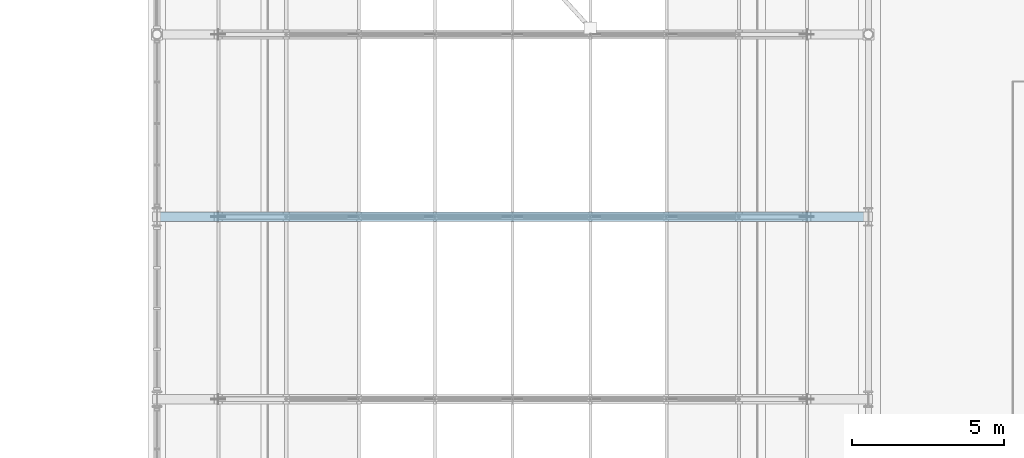
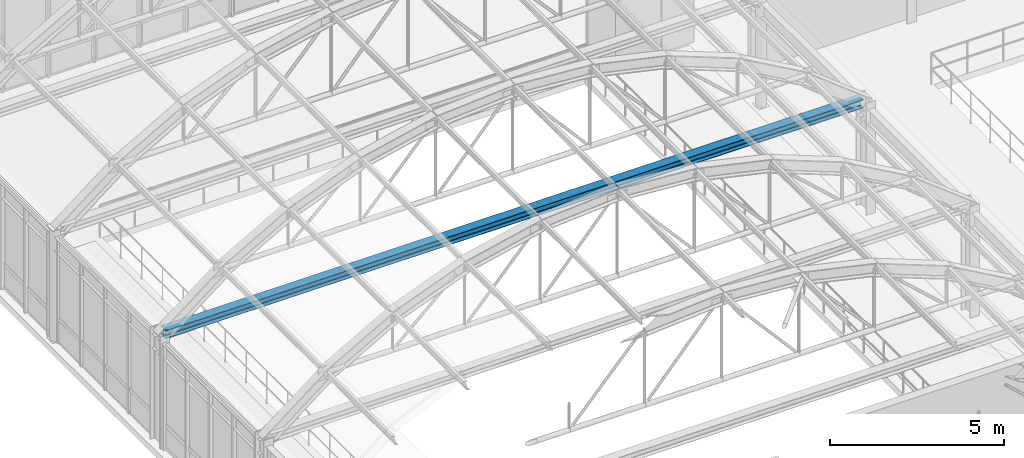
# One storey, part 46 of 148: 1 beam.
"""IFC4 building model written with IfcOpenShell, lengths in metres."""

import ifcopenshell
import ifcopenshell.guid

model = None  # the IFC model being written
_history = None  # IfcOwnerHistory: only IFC2X3 demands one
_inside = {}  # id of a spatial element -> (the spatial element, [elements in it])
_under = {}  # id of a project, library or spatial element -> (it, [spatial elements below it])
_declared = {}  # id of a project -> (the project, [libraries it declares])
_typed = {}  # id of a type object -> (the type object, [elements of that type])
_made_of = {}  # id of a material, layer set ... -> (it, [elements and type objects made of it])


def new_model(schema):
    """Start an empty IFC model of exactly this schema.

    Asked for "IFC4X3", IfcOpenShell would pick the latest addendum, in which some entities
    have other attributes; the version numbers below select the first issue.
    IFC2X3 requires an IfcOwnerHistory on every rooted entity: one is made here for all.
    """
    global model, _history
    if schema == "IFC4X3":
        model = ifcopenshell.file(schema_version=(4, 3, 0, 0))
    else:
        model = ifcopenshell.file(schema=schema)
    _inside.clear()
    _under.clear()
    _declared.clear()
    _typed.clear()
    _made_of.clear()
    _history = None
    if model.schema == "IFC2X3":
        org = make("IfcOrganization", Name="unknown")
        user = make(
            "IfcPersonAndOrganization",
            ThePerson=make("IfcPerson", FamilyName="unknown"),
            TheOrganization=org,
        )
        app = make(
            "IfcApplication",
            ApplicationDeveloper=org,
            Version="unknown",
            ApplicationFullName="unknown",
            ApplicationIdentifier="unknown",
        )
        _history = make(
            "IfcOwnerHistory",
            OwningUser=user,
            OwningApplication=app,
            ChangeAction="ADDED",
            CreationDate=0,
        )
    return model


def make(cls, **values):
    """One entity of the class cls with the attributes given. An attribute that is None is left unset."""
    return model.create_entity(
        cls, **{name: value for name, value in values.items() if value is not None}
    )


def rooted(cls, **values):
    """An entity with a GlobalId (a new one), such as an element, a storey or a relation."""
    return make(cls, GlobalId=ifcopenshell.guid.new(), OwnerHistory=_history, **values)


def si_unit(unit_type, name, prefix=None):
    """IfcSIUnit, for example si_unit("LENGTHUNIT", "METRE", prefix="MILLI")."""
    return make("IfcSIUnit", UnitType=unit_type, Prefix=prefix, Name=name)


def assignment(units):
    """IfcUnitAssignment: the units of a project."""
    return None if units is None else make("IfcUnitAssignment", Units=units)


def point(xyz):
    """IfcCartesianPoint."""
    return None if xyz is None else make("IfcCartesianPoint", Coordinates=xyz)


def direction(xyz):
    """IfcDirection."""
    return None if xyz is None else make("IfcDirection", DirectionRatios=xyz)


def frame(location, z_axis=None, x_axis=None):
    """IfcAxis2Placement3D, a coordinate frame: its origin and axes. An axis left out is left unset."""
    return make(
        "IfcAxis2Placement3D",
        Location=point(location),
        Axis=direction(z_axis),
        RefDirection=direction(x_axis),
    )


def frame_2d(location, x_axis=None):
    """IfcAxis2Placement2D, a coordinate frame in the plane: its origin and x axis."""
    return make(
        "IfcAxis2Placement2D", Location=point(location), RefDirection=direction(x_axis)
    )


def origin():
    """The frame at (0, 0, 0) with its axes left unset."""
    return frame((0.0, 0.0, 0.0))


def origin_2d():
    """The frame at (0, 0) in the plane with its x axis left unset."""
    return frame_2d((0.0, 0.0))


def place(relative_to, where):
    """IfcLocalPlacement: puts the frame where relative to a parent placement (None: the world)."""
    return make(
        "IfcLocalPlacement", PlacementRelTo=relative_to, RelativePlacement=where
    )


def context(
    kind, dimensions, precision=None, world=None, true_north=None, identifier=None
):
    """IfcGeometricRepresentationContext, for example the 3D "Model" context."""
    return make(
        "IfcGeometricRepresentationContext",
        ContextIdentifier=identifier,
        ContextType=kind,
        CoordinateSpaceDimension=dimensions,
        Precision=precision,
        WorldCoordinateSystem=world,
        TrueNorth=true_north,
    )


def subcontext(parent, identifier, kind, view, scale=None):
    """IfcGeometricRepresentationSubContext, for example "Body" below "Model"."""
    return make(
        "IfcGeometricRepresentationSubContext",
        ContextIdentifier=identifier,
        ContextType=kind,
        ParentContext=parent,
        TargetScale=scale,
        TargetView=view,
    )


def project(units=None, contexts=None):
    """IfcProject with its units and contexts."""
    return rooted(
        "IfcProject",
        Name="project",
        RepresentationContexts=contexts,
        UnitsInContext=assignment(units),
    )


def spatial(cls, under=None, at=None, **own):
    """A site, building, storey or space (cls), placed at a placement, below another one or the project."""
    s = rooted(cls, ObjectPlacement=at, **own)
    if under is not None:
        _under.setdefault(under.id(), (under, []))[1].append(s)
    return s


def profile(cls, at=None, kind="AREA", **sizes):
    """A parametric profile (cls). Its sizes go by their IFC names, for example OverallWidth=200.0."""
    return make(cls, ProfileType=kind, Position=at, **sizes)


def i_section(**sizes):
    """IfcIShapeProfileDef."""
    return profile("IfcIShapeProfileDef", **sizes)


def extrude(swept, where, along, depth):
    """IfcExtrudedAreaSolid: the profile swept, set in the frame where, extruded along a direction by depth."""
    return make(
        "IfcExtrudedAreaSolid",
        SweptArea=swept,
        Position=where,
        ExtrudedDirection=direction(along),
        Depth=depth,
    )


def shape(context_of_items, identifier, shape_type, items):
    """IfcShapeRepresentation: the items that make up one representation, for example the "Body"."""
    return make(
        "IfcShapeRepresentation",
        ContextOfItems=context_of_items,
        RepresentationIdentifier=identifier,
        RepresentationType=shape_type,
        Items=items,
    )


def material(Name=None, Category=None):
    """IfcMaterial."""
    return make("IfcMaterial", Name=Name, Category=Category)


def material_profile(
    of_material, cross_section, Name=None, Category=None, Priority=None
):
    """IfcMaterialProfile: a cross section and its material."""
    return make(
        "IfcMaterialProfile",
        Name=Name,
        Material=of_material,
        Profile=cross_section,
        Priority=Priority,
        Category=Category,
    )


def profile_set(profiles, Name=None, composite=None):
    """IfcMaterialProfileSet."""
    return make(
        "IfcMaterialProfileSet",
        Name=Name,
        MaterialProfiles=profiles,
        CompositeProfile=composite,
    )


def made_of(thing, what):
    """Note that an element or type object is made of a material, layer set ...; save() writes the relation."""
    if what is not None:
        _made_of.setdefault(what.id(), (what, []))[1].append(thing)
    return thing


def type_object(cls, material=None, **own):
    """A type object (cls), such as IfcWallType, which elements share."""
    return made_of(rooted(cls, **own), material)


def element(
    cls,
    number,
    at=None,
    inside=None,
    cuts=None,
    type_object=None,
    material=None,
    context=None,
    identifier="Body",
    shape_type=None,
    held_by="IfcProductDefinitionShape",
    body=None,
    shapes=None,
    **own,
):
    """One element of the class cls, such as IfcWall. Its Tag is "e" and its number.

    at: its placement. inside: the storey or other place that contains it. cuts: it is an
    opening in that element (IfcRelVoidsElement). A single representation is given by context,
    identifier, shape_type and body (its items); several are given by shapes. held_by: the class
    of the entity that holds the representations. save() writes the other relations.
    """
    e = rooted(cls, Tag="e%d" % number, ObjectPlacement=at, **own)
    if body is not None:
        shapes = [shape(context, identifier, shape_type, body)]
    if shapes is not None:
        e.Representation = make(held_by, Representations=shapes)
    if inside is not None:
        _inside.setdefault(inside.id(), (inside, []))[1].append(e)
    if cuts is not None:
        rooted(
            "IfcRelVoidsElement", RelatingBuildingElement=cuts, RelatedOpeningElement=e
        )
    if type_object is not None:
        _typed.setdefault(type_object.id(), (type_object, []))[1].append(e)
    return made_of(e, material)


def aggregate(whole, parts):
    """IfcRelAggregates: a whole, such as a stair, and the parts it consists of."""
    return rooted("IfcRelAggregates", RelatingObject=whole, RelatedObjects=parts)


def save(model, path):
    """Write the relations noted so far, then the file.

    IfcRelAggregates (storeys below a building ...), IfcRelContainedInSpatialStructure (elements
    in a storey), IfcRelDefinesByType, IfcRelAssociatesMaterial and IfcRelDeclares: one each for
    every whole, place, type object, material and project.
    """
    for whole, parts in _under.values():
        aggregate(whole, parts)
    for where, things in _inside.values():
        rooted(
            "IfcRelContainedInSpatialStructure",
            RelatedElements=things,
            RelatingStructure=where,
        )
    for kind, things in _typed.values():
        rooted("IfcRelDefinesByType", RelatedObjects=things, RelatingType=kind)
    for what, things in _made_of.values():
        rooted("IfcRelAssociatesMaterial", RelatedObjects=things, RelatingMaterial=what)
    for by, libraries in _declared.values():
        rooted("IfcRelDeclares", RelatingContext=by, RelatedDefinitions=libraries)
    model.write(path)


model = new_model("IFC4")

# Units and contexts
model_context = context("Model", 3, precision=1e-05, world=origin(), true_north=direction((0.0, 1.0)))
body_context = subcontext(model_context, "Body", "Model", "MODEL_VIEW")
ifc_project = project(units=[si_unit("LENGTHUNIT", "METRE"), si_unit("AREAUNIT", "SQUARE_METRE"), si_unit("VOLUMEUNIT", "CUBIC_METRE"), si_unit("PLANEANGLEUNIT", "RADIAN"), si_unit("MASSUNIT", "GRAM", prefix="KILO"), si_unit("THERMODYNAMICTEMPERATUREUNIT", "KELVIN"), si_unit("POWERUNIT", "WATT")], contexts=[model_context])

# Site, building, storey
site_placement = place(None, origin())
site = spatial("IfcSite", under=ifc_project, at=site_placement, CompositionType="ELEMENT")
building_placement = place(site_placement, origin())
building = spatial("IfcBuilding", under=site, at=building_placement, Name="Solvatero Civic Police Headquarters", CompositionType="ELEMENT")
storey_placement = place(building_placement, frame((0.0, 0.0, 5.10009765625)))
storey = spatial("IfcBuildingStorey", under=building, at=storey_placement, Name="L01", CompositionType="ELEMENT", Elevation=5.10009765625)

# Beam
ifc_material = material(Name="Steel S355", Category="steel")
ifc_material_profile = material_profile(ifc_material, i_section(OverallWidth=0.300048828125, OverallDepth=0.2900390625, WebThickness=0.008544921875, FlangeThickness=0.013916015625, FilletRadius=0.027099609375, at=origin_2d()), Name="HEA 300")
ifc_profile_set = profile_set([ifc_material_profile], Name="Steel S355")
beam_type = type_object("IfcBeamType", Name="BM-ST-HEA300", PredefinedType="SPANDREL", material=ifc_profile_set)
beam_placement = place(storey_placement, frame((98.919921875, 28.800048828125, 3.81884765625), z_axis=(1.0, 0.0, 0.0), x_axis=(0.0, 1.0, 0.0)))
element("IfcBeam", 1, at=beam_placement, inside=storey, type_object=beam_type, Name="VLT1 Barrel Vault Springing Tie Beam F5", PredefinedType="SPANDREL", context=body_context, shape_type="SweptSolid", body=[
    extrude(i_section(OverallWidth=0.300048828125, OverallDepth=0.2900390625, WebThickness=0.008544921875, FlangeThickness=0.013916015625, FilletRadius=0.027099609375, at=origin_2d()), origin(), (0.0, 0.0, 1.0), 23.1201171875),
])

save(model, "model.ifc")
